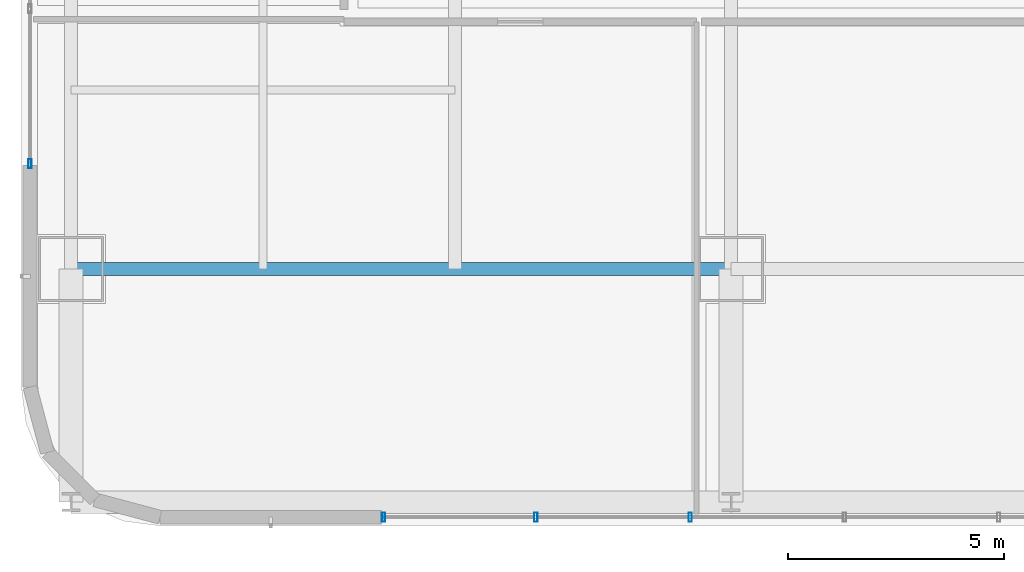
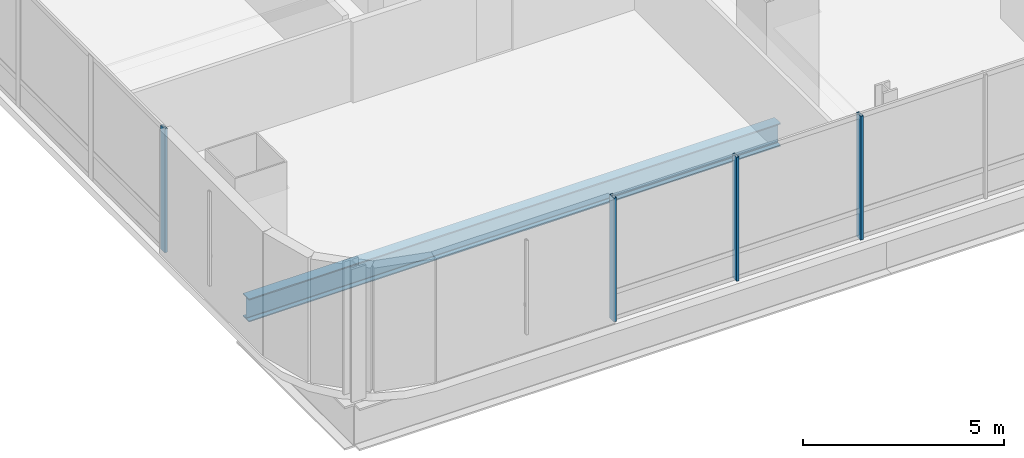
# One storey, part 2 of 42: 4 members, 1 beam, 2 elements without a shape of their own.
"""IFC4 building model written with IfcOpenShell, lengths in metres."""

from ifc_helpers import new_model, si_unit, direction, frame, origin, origin_2d, place, context, subcontext, project, spatial, hollow_rectangle, i_section, extrude, material, material_profile, profile_set, type_object, element, aggregate, save


model = new_model("IFC4")

# Units and contexts
model_context = context("Model", 3, precision=1e-05, world=origin(), true_north=direction((0.0, 1.0)))
body_context = subcontext(model_context, "Body", "Model", "MODEL_VIEW")
ifc_project = project(units=[si_unit("LENGTHUNIT", "METRE"), si_unit("AREAUNIT", "SQUARE_METRE"), si_unit("VOLUMEUNIT", "CUBIC_METRE"), si_unit("PLANEANGLEUNIT", "RADIAN"), si_unit("MASSUNIT", "GRAM", prefix="KILO")], contexts=[model_context])

# Site, building, storey
site_placement = place(None, origin())
site = spatial("IfcSite", under=ifc_project, at=site_placement, CompositionType="ELEMENT")
building_placement = place(site_placement, origin())
building = spatial("IfcBuilding", under=site, at=building_placement, Name="Punatoya Terracotta Tower", CompositionType="ELEMENT")
storey_placement = place(building_placement, frame((0.0, 0.0, 88.949951171875)))
storey = spatial("IfcBuildingStorey", under=building, at=storey_placement, Name="L20", CompositionType="ELEMENT", Elevation=88.949951171875)

# Beam
ifc_material_1 = material(Name="Steel S355", Category="steel")
ifc_material_profile_1 = material_profile(ifc_material_1, i_section(OverallWidth=0.300048828125, OverallDepth=0.699951171875, WebThickness=0.01708984375, FlangeThickness=0.031982421875, FilletRadius=0.01806640625, at=origin_2d()))
ifc_profile_set_1 = profile_set([ifc_material_profile_1], Name="Steel S355")
beam_type = type_object("IfcBeamType", Name="BM-PRI-700", PredefinedType="BEAM", material=ifc_profile_set_1)
beam_placement = place(storey_placement, frame((-19.10009765625, -17.5, -0.58984375), z_axis=(1.0, 0.0, 0.0), x_axis=(0.0, 1.0, 0.0)))
element("IfcBeam", 1, at=beam_placement, inside=storey, type_object=beam_type, Name="BM-L20-RG-S1", PredefinedType="BEAM", context=body_context, shape_type="SweptSolid", body=[
    extrude(i_section(OverallWidth=0.300048828125, OverallDepth=0.699951171875, WebThickness=0.01708984375, FlangeThickness=0.031982421875, FilletRadius=0.01806640625, at=origin_2d()), origin(), (0.0, 0.0, 1.0), 15.300048828125),
])

# Curtain wall, members
ifc_material_2 = material(Name="Aluminium 6063-T6 + Double Low-E Glass", Category="aluminium")
curtain_wall_type = type_object("IfcCurtainWallType", Name="CW-M1", PredefinedType="NOTDEFINED", material=ifc_material_2)
curtain_wall_1_placement = place(storey_placement, origin())
curtain_wall_1 = element("IfcCurtainWall", 2, at=curtain_wall_1_placement, inside=storey, type_object=curtain_wall_type, Name="L20 Curtain Wall CW-L20-S01-1", PredefinedType="NOTDEFINED")
ifc_material_3 = material(Name="Aluminium 6063-T6", Category="aluminium")
ifc_material_profile_2 = material_profile(ifc_material_3, hollow_rectangle(XDim=0.074951171875, YDim=0.2099609375, WallThickness=0.00439453125, at=origin_2d()))
ifc_profile_set_2 = profile_set([ifc_material_profile_2], Name="Aluminium 6063-T6")
member_type = type_object("IfcMemberType", Name="CW-MUL-M1", PredefinedType="MULLION", material=ifc_profile_set_2)
member_1_placement = place(storey_placement, frame((-11.85498046875, -23.25, 0.0), z_axis=(0.0, 0.0, 1.0), x_axis=(1.0, 0.0, 0.0)))
member_1 = element("IfcMember", 3, at=member_1_placement, type_object=member_type, Name="CW-L20-S01-1 Mullion 00", PredefinedType="MULLION", context=body_context, shape_type="SweptSolid", body=[
    extrude(hollow_rectangle(XDim=0.074951171875, YDim=0.2099609375, WallThickness=0.00439453125, at=origin_2d()), origin(), (0.0, 0.0, 1.0), 3.77001953125),
])
member_2_placement = place(storey_placement, frame((-8.324951171875, -23.25, 0.0), z_axis=(0.0, 0.0, 1.0), x_axis=(1.0, 0.0, 0.0)))
member_2 = element("IfcMember", 4, at=member_2_placement, type_object=member_type, Name="CW-L20-S01-1 Mullion 01", PredefinedType="MULLION", context=body_context, shape_type="SweptSolid", body=[
    extrude(hollow_rectangle(XDim=0.074951171875, YDim=0.2099609375, WallThickness=0.00439453125, at=origin_2d()), origin(), (0.0, 0.0, 1.0), 3.77001953125),
])
member_3_placement = place(storey_placement, frame((-4.75, -23.25, 0.0), z_axis=(0.0, 0.0, 1.0), x_axis=(1.0, 0.0, 0.0)))
member_3 = element("IfcMember", 5, at=member_3_placement, type_object=member_type, Name="CW-L20-S01-1 Mullion 02", PredefinedType="MULLION", context=body_context, shape_type="SweptSolid", body=[
    extrude(hollow_rectangle(XDim=0.074951171875, YDim=0.2099609375, WallThickness=0.00439453125, at=origin_2d()), origin(), (0.0, 0.0, 1.0), 3.77001953125),
])
aggregate(curtain_wall_1, [member_1, member_2, member_3])

# Curtain wall, member
curtain_wall_2_placement = place(storey_placement, origin())
curtain_wall_2 = element("IfcCurtainWall", 6, at=curtain_wall_2_placement, inside=storey, type_object=curtain_wall_type, Name="L20 Curtain Wall CW-L20-W13-1", PredefinedType="NOTDEFINED")
member_4_placement = place(storey_placement, frame((-20.050048828125, -15.054931640625, 0.0), z_axis=(0.0, 0.0, 1.0), x_axis=(1.0, 0.0, 0.0)))
member_4 = element("IfcMember", 7, at=member_4_placement, type_object=member_type, Name="CW-L20-W13-1 Mullion 07", PredefinedType="MULLION", context=body_context, shape_type="SweptSolid", body=[
    extrude(hollow_rectangle(XDim=0.074951171875, YDim=0.2099609375, WallThickness=0.00439453125, at=origin_2d()), origin(), (0.0, 0.0, 1.0), 3.77001953125),
])
aggregate(curtain_wall_2, [member_4])

save(model, "model.ifc")
